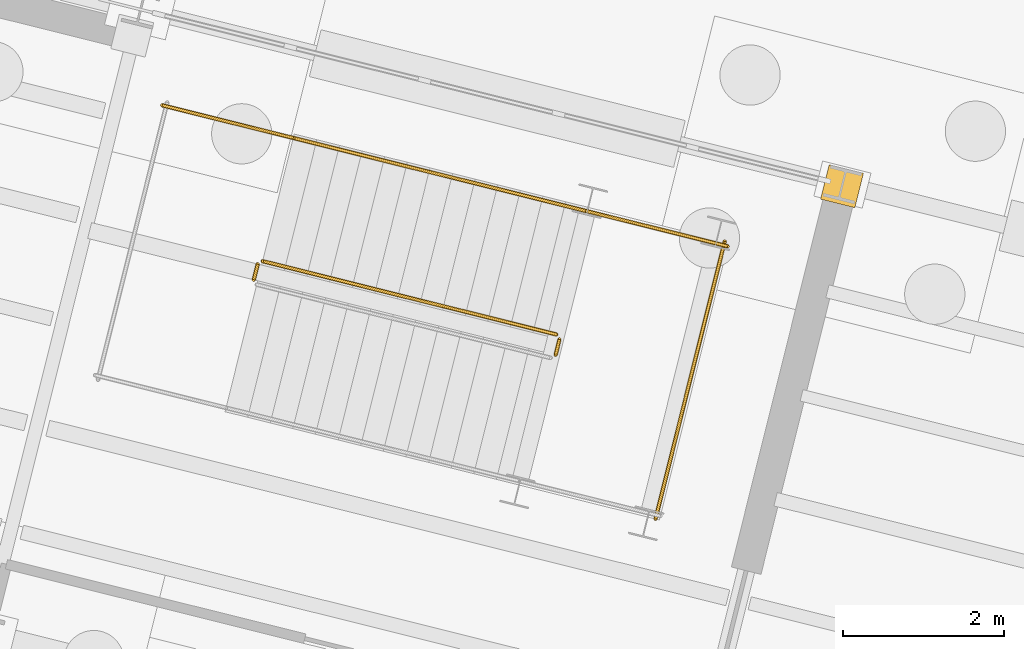
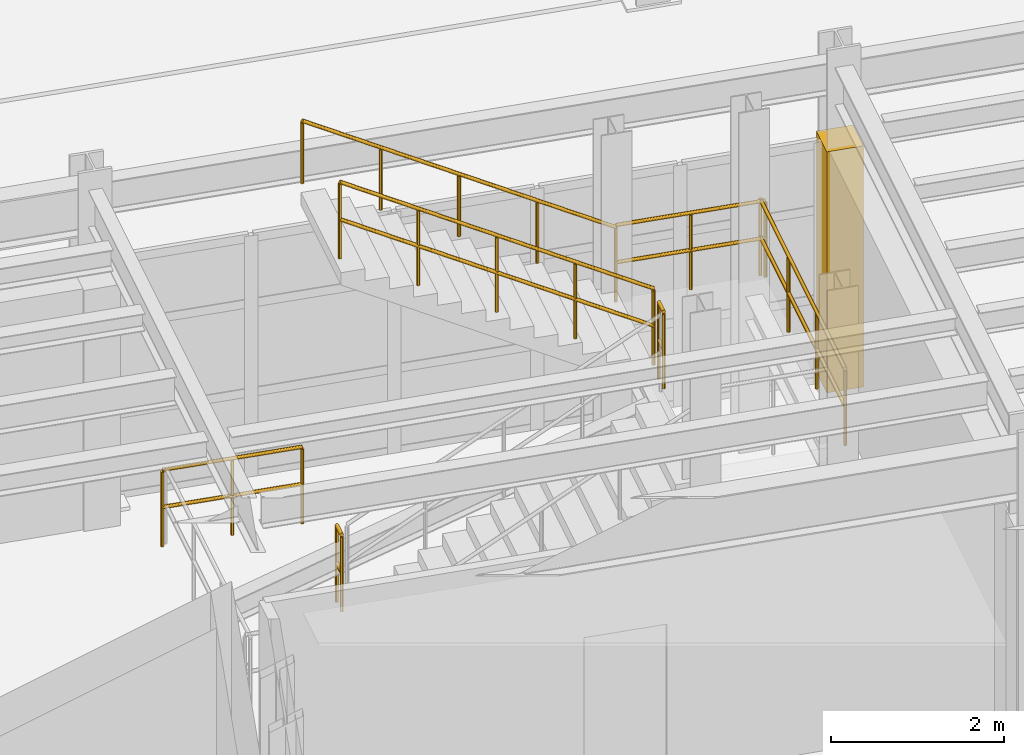
# One storey, part 102 of 108: 7 railings, 1 covering.
"""IFC4 building model written with IfcOpenShell, lengths in metres."""

from ifc_helpers import new_model, si_unit, direction, frame, origin, origin_2d, place, context, subcontext, project, spatial, rectangle, circle, extrude, material, layer, layer_set, type_object, element, save


model = new_model("IFC4")

# Units and contexts
model_context = context("Model", 3, precision=1e-05, world=origin(), true_north=direction((0.0, 1.0)))
body_context = subcontext(model_context, "Body", "Model", "MODEL_VIEW")
ifc_project = project(units=[si_unit("LENGTHUNIT", "METRE"), si_unit("AREAUNIT", "SQUARE_METRE"), si_unit("VOLUMEUNIT", "CUBIC_METRE"), si_unit("PLANEANGLEUNIT", "RADIAN"), si_unit("MASSUNIT", "GRAM", prefix="KILO")], contexts=[model_context])

# Site, building, storey
site_placement = place(None, origin())
site = spatial("IfcSite", under=ifc_project, at=site_placement, CompositionType="ELEMENT")
building_placement = place(site_placement, origin())
building = spatial("IfcBuilding", under=site, at=building_placement, Name="Vireo Bluff Cable Station", CompositionType="ELEMENT")
storey_placement = place(building_placement, origin())
storey = spatial("IfcBuildingStorey", under=building, at=storey_placement, Name="L00", CompositionType="ELEMENT", Elevation=0.0)

# Covering
ifc_material_1 = material(Name="Precast concrete f'c 45 MPa", Category="concrete")
ifc_layer = layer(ifc_material_1, 0.0400390625, Name="Precast concrete f'c 45 MPa")
ifc_layer_set = layer_set([ifc_layer], Name="Precast concrete f'c 45 MPa")
covering_type = type_object("IfcCoveringType", Name="COL-CLOSURE-WRAP", PredefinedType="CLADDING", material=ifc_layer_set)
covering_placement = place(storey_placement, frame((75.330810546875, 49.149169921875, 0.0), z_axis=(0.0, 0.0, 1.0), x_axis=(0.970295726276, -0.2419218956, 0.0)))
element("IfcCovering", 1, at=covering_placement, inside=storey, type_object=covering_type, Name="V1 L00 column pocket closure", PredefinedType="CLADDING", context=body_context, shape_type="SweptSolid", body=[
    extrude(rectangle(XDim=0.43994140625, YDim=0.43994140625, at=origin_2d()), origin(), (0.0, 0.0, 1.0), 3.39990234375),
])

# Railings
ifc_material_2 = material(Name="Stainless Steel 316", Category="steel")
railing_type_1 = type_object("IfcRailingType", Name="STAIR-GUARD-1100", PredefinedType="GUARDRAIL", material=ifc_material_2)
railing_1_placement = place(storey_placement, frame((71.767333984375, 47.050537109375, 2.39990234375)))
element("IfcRailing", 2, at=railing_1_placement, inside=storey, type_object=railing_type_1, Name="L00 ST-10 stair guard 2", PredefinedType="GUARDRAIL", context=body_context, shape_type="SweptSolid", body=[
    extrude(circle(Radius=0.02392578125, at=origin_2d()), frame((0.0, 0.0, 1.076171875), z_axis=(0.241673946692, 0.970357513234, 0.0), x_axis=(-0.970357513234, 0.241673946692, 0.0)), (0.0, 0.0, 1.0), 0.199951171875),
    extrude(circle(Radius=0.02392578125, at=origin_2d()), frame((0.0, 0.0, 0.550048828125), z_axis=(0.241673946692, 0.970357513234, 0.0), x_axis=(-0.970357513234, 0.241673946692, 0.0)), (0.0, 0.0, 1.0), 0.199951171875),
    extrude(circle(Radius=0.02099609375, at=origin_2d()), origin(), (0.0, 0.0, 1.0), 1.052001953125),
    extrude(circle(Radius=0.02099609375, at=origin_2d()), frame((0.04833984375, 0.194091796875, 0.0)), (0.0, 0.0, 1.0), 1.052001953125),
])
railing_2_placement = place(storey_placement, frame((72.161376953125, 48.83837890625, 2.39990234375)))
element("IfcRailing", 3, at=railing_2_placement, inside=storey, type_object=railing_type_1, Name="L00 ST-10 stair guard 4", PredefinedType="GUARDRAIL", context=body_context, shape_type="SweptSolid", body=[
    extrude(circle(Radius=0.02392578125, at=origin_2d()), frame((0.0, 0.0, 1.076171875), z_axis=(0.97028593668, -0.241961156142, 0.0), x_axis=(0.241961156142, 0.97028593668, 0.0)), (0.0, 0.0, 1.0), 1.800048828125),
    extrude(circle(Radius=0.02392578125, at=origin_2d()), frame((0.0, 0.0, 0.550048828125), z_axis=(0.97028593668, -0.241961156142, 0.0), x_axis=(0.241961156142, 0.97028593668, 0.0)), (0.0, 0.0, 1.0), 1.800048828125),
    extrude(circle(Radius=0.02099609375, at=origin_2d()), origin(), (0.0, 0.0, 1.0), 1.052001953125),
    extrude(circle(Radius=0.02099609375, at=origin_2d()), frame((0.873291015625, -0.2177734375, 0.0)), (0.0, 0.0, 1.0), 1.052001953125),
    extrude(circle(Radius=0.02099609375, at=origin_2d()), frame((1.74658203125, -0.435546875, 0.0)), (0.0, 0.0, 1.0), 1.052001953125),
])
railing_3_placement = place(storey_placement, frame((73.01025390625, 45.00927734375, 2.39990234375)))
element("IfcRailing", 4, at=railing_3_placement, inside=storey, type_object=railing_type_1, Name="L00 ST-10 stair guard 5", PredefinedType="GUARDRAIL", context=body_context, shape_type="SweptSolid", body=[
    extrude(circle(Radius=0.02392578125, at=origin_2d()), frame((0.0, 0.0, 1.076171875), z_axis=(0.241954658005, 0.970287557103, 0.0), x_axis=(-0.970287557103, 0.241954658005, 0.0)), (0.0, 0.0, 1.0), 3.559814453125),
    extrude(circle(Radius=0.02392578125, at=origin_2d()), frame((0.0, 0.0, 0.550048828125), z_axis=(0.241954658005, 0.970287557103, 0.0), x_axis=(-0.970287557103, 0.241954658005, 0.0)), (0.0, 0.0, 1.0), 3.559814453125),
    extrude(circle(Radius=0.02099609375, at=origin_2d()), origin(), (0.0, 0.0, 1.0), 1.052001953125),
    extrude(circle(Radius=0.02099609375, at=origin_2d()), frame((0.287109375, 1.1513671875, 0.0)), (0.0, 0.0, 1.0), 1.052001953125),
    extrude(circle(Radius=0.02099609375, at=origin_2d()), frame((0.57421875, 2.302734375, 0.0)), (0.0, 0.0, 1.0), 1.052001953125),
    extrude(circle(Radius=0.02099609375, at=origin_2d()), frame((0.861328125, 3.4541015625, 0.0)), (0.0, 0.0, 1.0), 1.052001953125),
])
railing_4_placement = place(storey_placement, frame((71.779296875, 47.30517578125, 2.571533203125)))
element("IfcRailing", 5, at=railing_4_placement, inside=storey, type_object=railing_type_1, Name="L00 ST-10 stair guard 6", PredefinedType="GUARDRAIL", context=body_context, shape_type="SweptSolid", body=[
    extrude(circle(Radius=0.02392578125, at=origin_2d()), frame((0.0, 0.0, 1.076171875), z_axis=(-0.835270426229, 0.208274064766, 0.508866612202), x_axis=(-0.241941316319, -0.97029088394, 0.0)), (0.0, 0.0, 1.0), 4.37939453125),
    extrude(circle(Radius=0.02392578125, at=origin_2d()), frame((0.0, 0.0, 0.550048828125), z_axis=(-0.835270426229, 0.208274064766, 0.508866612202), x_axis=(-0.241941316319, -0.97029088394, 0.0)), (0.0, 0.0, 1.0), 4.37939453125),
    extrude(circle(Radius=0.02099609375, at=origin_2d()), origin(), (0.0, 0.0, 1.0), 1.052001953125),
    extrude(circle(Radius=0.02099609375, at=origin_2d()), frame((-0.91455078125, 0.22802734375, 0.55712890625)), (0.0, 0.0, 1.0), 1.052001953125),
    extrude(circle(Radius=0.02099609375, at=origin_2d()), frame((-1.8291015625, 0.4560546875, 1.1142578125)), (0.0, 0.0, 1.0), 1.052001953125),
    extrude(circle(Radius=0.02099609375, at=origin_2d()), frame((-2.743408203125, 0.68408203125, 1.67138671875)), (0.0, 0.0, 1.0), 1.052001953125),
    extrude(circle(Radius=0.02099609375, at=origin_2d()), frame((-3.657958984375, 0.912109375, 2.228515625)), (0.0, 0.0, 1.0), 1.052001953125),
])
railing_5_placement = place(storey_placement, frame((68.01220703125, 47.98681640625, 0.0)))
element("IfcRailing", 6, at=railing_5_placement, inside=storey, type_object=railing_type_1, Name="L00 ST-10 stair guard 7", PredefinedType="GUARDRAIL", context=body_context, shape_type="SweptSolid", body=[
    extrude(circle(Radius=0.02392578125, at=origin_2d()), frame((0.0, 0.0, 1.076171875), z_axis=(0.241673946692, 0.970357513234, 0.0), x_axis=(-0.970357513234, 0.241673946692, 0.0)), (0.0, 0.0, 1.0), 0.199951171875),
    extrude(circle(Radius=0.02392578125, at=origin_2d()), frame((0.0, 0.0, 0.550048828125), z_axis=(0.241673946692, 0.970357513234, 0.0), x_axis=(-0.970357513234, 0.241673946692, 0.0)), (0.0, 0.0, 1.0), 0.199951171875),
    extrude(circle(Radius=0.02099609375, at=origin_2d()), origin(), (0.0, 0.0, 1.0), 1.052001953125),
    extrude(circle(Radius=0.02099609375, at=origin_2d()), frame((0.04833984375, 0.194091796875, 0.0)), (0.0, 0.0, 1.0), 1.052001953125),
])
railing_6_placement = place(storey_placement, frame((66.873291015625, 50.15673828125, 0.0)))
element("IfcRailing", 7, at=railing_6_placement, inside=storey, type_object=railing_type_1, Name="L00 ST-10 stair guard 9", PredefinedType="GUARDRAIL", context=body_context, shape_type="SweptSolid", body=[
    extrude(circle(Radius=0.02392578125, at=origin_2d()), frame((0.0, 0.0, 1.076171875), z_axis=(0.970287643911, -0.241954309887, 0.0), x_axis=(0.241954309887, 0.970287643911, 0.0)), (0.0, 0.0, 1.0), 1.679931640625),
    extrude(circle(Radius=0.02392578125, at=origin_2d()), frame((0.0, 0.0, 0.550048828125), z_axis=(0.970287643911, -0.241954309887, 0.0), x_axis=(0.241954309887, 0.970287643911, 0.0)), (0.0, 0.0, 1.0), 1.679931640625),
    extrude(circle(Radius=0.02099609375, at=origin_2d()), origin(), (0.0, 0.0, 1.0), 1.052001953125),
    extrude(circle(Radius=0.02099609375, at=origin_2d()), frame((0.81494140625, -0.203125, 0.0)), (0.0, 0.0, 1.0), 1.052001953125),
    extrude(circle(Radius=0.02099609375, at=origin_2d()), frame((1.630126953125, -0.406494140625, 0.0)), (0.0, 0.0, 1.0), 1.052001953125),
])
railing_type_2 = type_object("IfcRailingType", Name="STAIR-HANDRAIL-900", PredefinedType="HANDRAIL", material=ifc_material_2)
railing_7_placement = place(storey_placement, frame((72.161376953125, 48.83837890625, 2.571533203125)))
element("IfcRailing", 8, at=railing_7_placement, inside=storey, type_object=railing_type_2, Name="L00 ST-10 stair handrail 2", PredefinedType="HANDRAIL", context=body_context, shape_type="SweptSolid", body=[
    extrude(circle(Radius=0.02392578125, at=origin_2d()), frame((0.0, 0.0, 0.8759765625), z_axis=(-0.835280123288, 0.208220734198, 0.508872519881), x_axis=(-0.241880346166, -0.970306084768, 0.0)), (0.0, 0.0, 1.0), 4.37939453125),
    extrude(circle(Radius=0.02099609375, at=origin_2d()), origin(), (0.0, 0.0, 1.0), 0.851806640625),
    extrude(circle(Radius=0.02099609375, at=origin_2d()), frame((-0.91455078125, 0.22802734375, 0.55712890625)), (0.0, 0.0, 1.0), 0.851806640625),
    extrude(circle(Radius=0.02099609375, at=origin_2d()), frame((-1.8291015625, 0.4560546875, 1.1142578125)), (0.0, 0.0, 1.0), 0.851806640625),
    extrude(circle(Radius=0.02099609375, at=origin_2d()), frame((-2.743408203125, 0.683837890625, 1.67138671875)), (0.0, 0.0, 1.0), 0.851806640625),
    extrude(circle(Radius=0.02099609375, at=origin_2d()), frame((-3.657958984375, 0.911865234375, 2.228515625)), (0.0, 0.0, 1.0), 0.851806640625),
])

save(model, "model.ifc")
